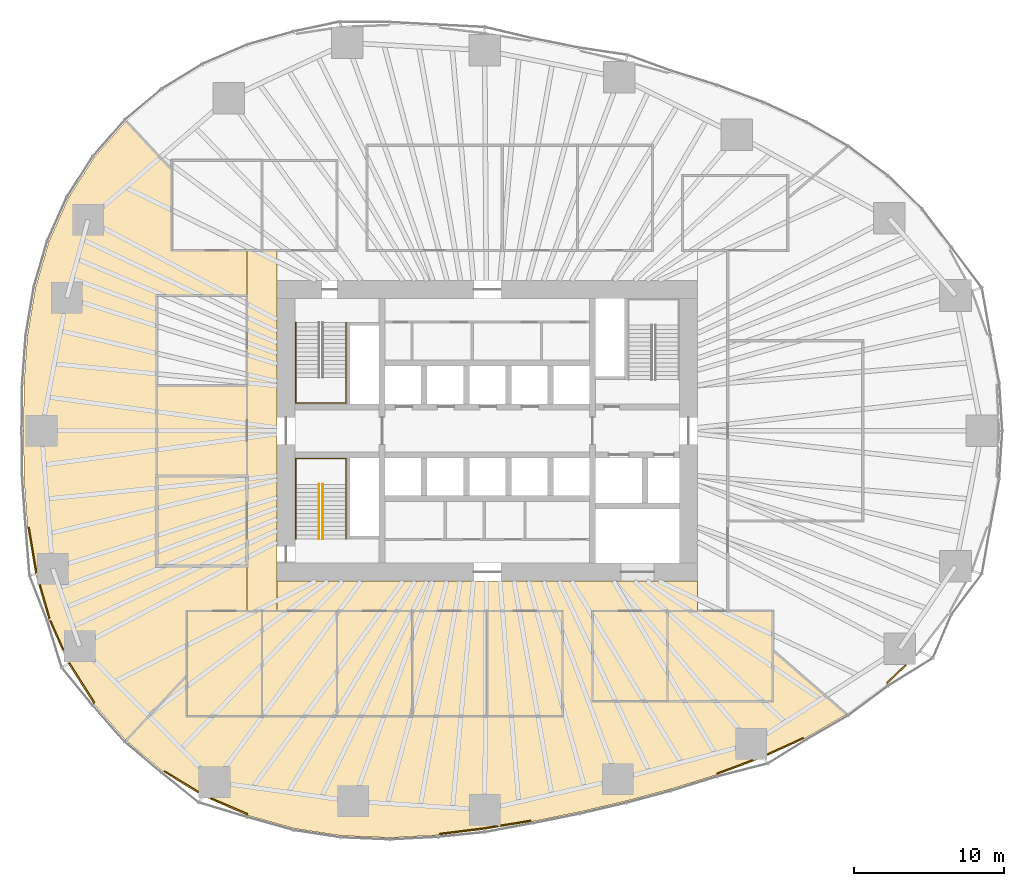
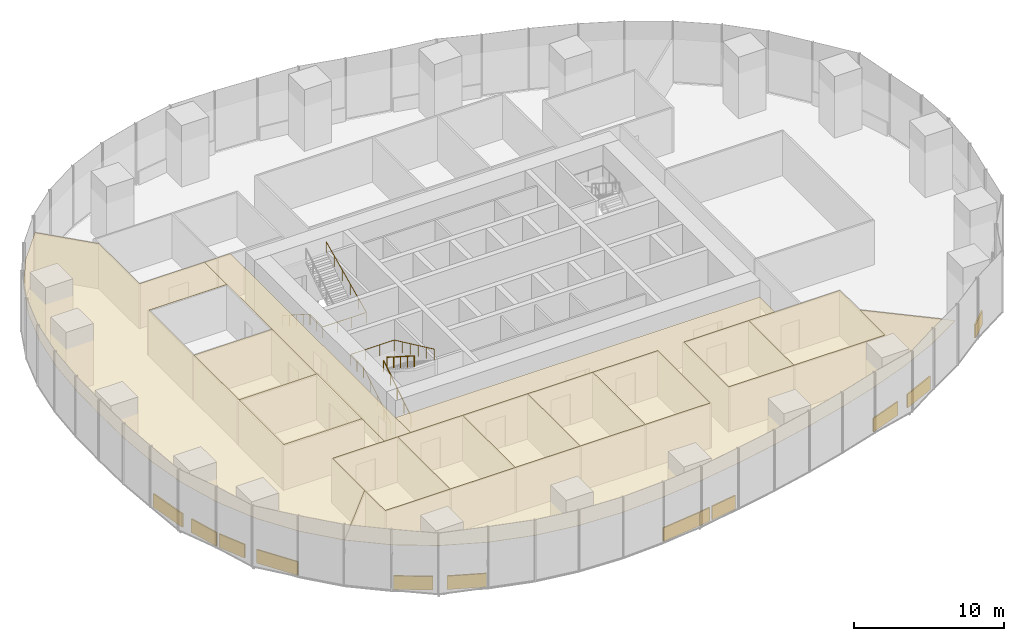
# One storey, part 17 of 20: 24 coverings, 4 railings.
"""IFC4 building model written with IfcOpenShell, lengths in metres."""

from ifc_helpers import new_model, si_unit, direction, frame, origin, origin_2d, place, context, subcontext, project, spatial, polyline, rectangle, circle, outline, extrude, material, layer, layer_set, type_object, element, save


model = new_model("IFC4")

# Units and contexts
model_context = context("Model", 3, precision=1e-05, world=origin(), true_north=direction((0.0, 1.0)))
body_context = subcontext(model_context, "Body", "Model", "MODEL_VIEW")
ifc_project = project(units=[si_unit("LENGTHUNIT", "METRE"), si_unit("AREAUNIT", "SQUARE_METRE"), si_unit("VOLUMEUNIT", "CUBIC_METRE"), si_unit("PLANEANGLEUNIT", "RADIAN"), si_unit("MASSUNIT", "GRAM", prefix="KILO")], contexts=[model_context])

# Site, building, storey
site_placement = place(None, origin())
site = spatial("IfcSite", under=ifc_project, at=site_placement, CompositionType="ELEMENT")
building_placement = place(site_placement, origin())
building = spatial("IfcBuilding", under=site, at=building_placement, Name="Ghaith Harvest Tower", CompositionType="ELEMENT")
storey_placement = place(building_placement, frame((0.0, 0.0, 50.0)))
storey = spatial("IfcBuildingStorey", under=building, at=storey_placement, Name="L10", CompositionType="ELEMENT", Elevation=50.0)

# Coverings
ifc_material_1 = material(Name="Mineral fibre ceiling tile", Category="gypsum")
ifc_layer_1 = layer(ifc_material_1, 0.02490234375)
ifc_layer_set_1 = layer_set([ifc_layer_1], Name="CEILING C2")
covering_type_1 = type_object("IfcCoveringType", Name="CEILING C2", PredefinedType="CEILING", material=ifc_layer_set_1)
covering_1_placement = place(storey_placement, frame((0.0, 0.0, 3.60009765625)))
element("IfcCovering", 1, at=covering_1_placement, inside=storey, type_object=covering_type_1, Name="Ceiling L10-01", PredefinedType="CEILING", context=body_context, shape_type="SweptSolid", body=[
    extrude(outline(polyline([(-20.0, -19.0), (-15.0, -19.0), (-15.0, -12.0), (-20.0, -12.0), (-20.0, -19.0)])), origin(), (0.0, 0.0, 1.0), 0.02490234375),
])
covering_2_placement = place(storey_placement, frame((0.0, 0.0, 3.60009765625)))
element("IfcCovering", 2, at=covering_2_placement, inside=storey, type_object=covering_type_1, Name="Ceiling L10-02", PredefinedType="CEILING", context=body_context, shape_type="SweptSolid", body=[
    extrude(outline(polyline([(-15.0, -19.0), (-10.0, -19.0), (-10.0, -12.0), (-15.0, -12.0), (-15.0, -19.0)])), origin(), (0.0, 0.0, 1.0), 0.02490234375),
])
covering_3_placement = place(storey_placement, frame((0.0, 0.0, 3.60009765625)))
element("IfcCovering", 3, at=covering_3_placement, inside=storey, type_object=covering_type_1, Name="Ceiling L10-03", PredefinedType="CEILING", context=body_context, shape_type="SweptSolid", body=[
    extrude(outline(polyline([(-10.0, -19.0), (-5.0, -19.0), (-5.0, -12.0), (-10.0, -12.0), (-10.0, -19.0)])), origin(), (0.0, 0.0, 1.0), 0.02490234375),
])
covering_4_placement = place(storey_placement, frame((0.0, 0.0, 3.60009765625)))
element("IfcCovering", 4, at=covering_4_placement, inside=storey, type_object=covering_type_1, Name="Ceiling L10-04", PredefinedType="CEILING", context=body_context, shape_type="SweptSolid", body=[
    extrude(outline(polyline([(-5.0, -19.0), (0.0, -19.0), (0.0, -12.0), (-5.0, -12.0), (-5.0, -19.0)])), origin(), (0.0, 0.0, 1.0), 0.02490234375),
])
covering_5_placement = place(storey_placement, frame((0.0, 0.0, 3.60009765625)))
element("IfcCovering", 5, at=covering_5_placement, inside=storey, type_object=covering_type_1, Name="Ceiling L10-05", PredefinedType="CEILING", context=body_context, shape_type="SweptSolid", body=[
    extrude(outline(polyline([(0.0, -19.0), (5.0, -19.0), (5.0, -12.0), (0.0, -12.0), (0.0, -19.0)])), origin(), (0.0, 0.0, 1.0), 0.02490234375),
])
covering_6_placement = place(storey_placement, frame((0.0, 0.0, 3.60009765625)))
element("IfcCovering", 6, at=covering_6_placement, inside=storey, type_object=covering_type_1, Name="Ceiling L10-06", PredefinedType="CEILING", context=body_context, shape_type="SweptSolid", body=[
    extrude(outline(polyline([(7.0, -18.0), (12.0, -18.0), (12.0, -12.0), (7.0, -12.0), (7.0, -18.0)])), origin(), (0.0, 0.0, 1.0), 0.02490234375),
])
covering_7_placement = place(storey_placement, frame((0.0, 0.0, 3.60009765625)))
element("IfcCovering", 7, at=covering_7_placement, inside=storey, type_object=covering_type_1, Name="Ceiling L10-07", PredefinedType="CEILING", context=body_context, shape_type="SweptSolid", body=[
    extrude(outline(polyline([(12.0, -18.0), (19.0, -18.0), (19.0, -12.0), (12.0, -12.0), (12.0, -18.0)])), origin(), (0.0, 0.0, 1.0), 0.02490234375),
])
covering_8_placement = place(storey_placement, frame((0.0, 0.0, 3.60009765625)))
element("IfcCovering", 8, at=covering_8_placement, inside=storey, type_object=covering_type_1, Name="Ceiling L10-14", PredefinedType="CEILING", context=body_context, shape_type="SweptSolid", body=[
    extrude(outline(polyline([(-22.0, -9.0), (-16.0, -9.0), (-16.0, -3.0), (-22.0, -3.0), (-22.0, -9.0)])), origin(), (0.0, 0.0, 1.0), 0.02490234375),
])
covering_9_placement = place(storey_placement, frame((0.0, 0.0, 3.60009765625)))
element("IfcCovering", 9, at=covering_9_placement, inside=storey, type_object=covering_type_1, Name="Ceiling L10-15", PredefinedType="CEILING", context=body_context, shape_type="SweptSolid", body=[
    extrude(outline(polyline([(-22.0, -3.0), (-16.0, -3.0), (-16.0, 3.0), (-22.0, 3.0), (-22.0, -3.0)])), origin(), (0.0, 0.0, 1.0), 0.02490234375),
])
covering_10_placement = place(storey_placement, frame((0.0, 0.0, 3.60009765625)))
element("IfcCovering", 10, at=covering_10_placement, inside=storey, type_object=covering_type_1, Name="Ceiling L10-C1", PredefinedType="CEILING", context=body_context, shape_type="SweptSolid", body=[
    extrude(outline(polyline([(-14.0, 12.0), (-14.0, -12.0), (-16.0, -12.0), (-16.0, 12.0), (-14.0, 12.0)])), origin(), (0.0, 0.0, 1.0), 0.02490234375),
])
covering_11_placement = place(storey_placement, frame((0.0, 0.0, 3.60009765625)))
element("IfcCovering", 11, at=covering_11_placement, inside=storey, type_object=covering_type_1, Name="Ceiling L10-S1", PredefinedType="CEILING", context=body_context, shape_type="SweptSolid", body=[
    extrude(outline(polyline([(-15.907958984375, -25.614501953125), (-18.8935546875, -24.32763671875), (-21.59912109375, -22.671142578125), (-24.04833984375, -20.618408203125), (-20.0, -16.283203125), (-20.0, -19.0), (5.0, -19.0), (5.0, -12.0), (-14.0, -12.0), (-14.0, -10.0), (14.0, -10.0), (14.0, -12.0), (7.0, -12.0), (7.0, -18.0), (19.0, -18.0), (19.0, -14.60205078125), (23.92431640625, -18.873046875), (21.149169921875, -20.469482421875), (18.34521484375, -21.7548828125), (15.22119140625, -22.916259765625), (12.1796875, -23.857666015625), (9.21533203125, -24.65087890625), (6.10888671875, -25.378662109375), (2.99560546875, -26.004150390625), (-0.181396484375, -26.527099609375), (-3.24755859375, -26.91064453125), (-6.4375, -27.0849609375), (-9.733642578125, -26.949951171875), (-12.828125, -26.476806640625), (-15.907958984375, -25.614501953125)])), origin(), (0.0, 0.0, 1.0), 0.02490234375),
])
covering_12_placement = place(storey_placement, frame((0.0, 0.0, 3.60009765625)))
element("IfcCovering", 12, at=covering_12_placement, inside=storey, type_object=covering_type_1, Name="Ceiling L10-W1", PredefinedType="CEILING", context=body_context, shape_type="SweptSolid", body=[
    extrude(outline(polyline([(-26.16455078125, -18.20556640625), (-27.881591796875, -15.507080078125), (-29.182373046875, -12.587890625), (-30.073974609375, -9.531005859375), (-30.606689453125, -6.35107421875), (-30.837158203125, -3.165771484375), (-30.875, 0.0), (-30.837158203125, 3.165771484375), (-30.606689453125, 6.35107421875), (-30.073974609375, 9.531005859375), (-29.182373046875, 12.587890625), (-27.881591796875, 15.507080078125), (-26.16455078125, 18.20556640625), (-24.04833984375, 20.618408203125), (-21.0, 17.354248046875), (-21.0, 12.0), (-16.0, 12.0), (-16.0, 9.0), (-22.0, 9.0), (-22.0, -9.0), (-16.0, -9.0), (-16.0, -12.0), (-20.0, -12.0), (-20.0, -16.283203125), (-24.04833984375, -20.618408203125), (-26.16455078125, -18.20556640625)])), origin(), (0.0, 0.0, 1.0), 0.02490234375),
])

# Railings
ifc_material_2 = material(Name="Steel, black powder-coated", Category="steel")
railing_type = type_object("IfcRailingType", Name="HANDRAIL HR1", PredefinedType="HANDRAIL", material=ifc_material_2)
railing_1_placement = place(storey_placement, frame((-12.75, 7.199951171875, 0.178466796875)))
element("IfcRailing", 13, at=railing_1_placement, inside=storey, type_object=railing_type, Name="Handrail HR1 stair ST1 L10 wall side", PredefinedType="HANDRAIL", context=body_context, shape_type="SweptSolid", body=[
    extrude(circle(Radius=0.02392578125, at=origin_2d()), frame((0.0, 0.0, 0.8759765625), z_axis=(0.0, -0.843111507901, 0.53773877045), x_axis=(1.0, 0.0, 0.0)), (0.0, 0.0, 1.0), 4.317138671875),
    extrude(circle(Radius=0.02392578125, at=origin_2d()), frame((0.0, -3.639892578125, 3.197265625), z_axis=(0.0, -1.0, 0.0), x_axis=(1.0, 0.0, 0.0)), (0.0, 0.0, 1.0), 1.7099609375),
    extrude(circle(Radius=0.02392578125, at=origin_2d()), frame((0.0, -5.349853515625, 3.197265625), z_axis=(1.0, 0.0, 0.0), x_axis=(0.0, 1.0, 0.0)), (0.0, 0.0, 1.0), 3.35009765625),
    extrude(circle(Radius=0.02392578125, at=origin_2d()), frame((3.35009765625, -5.349853515625, 3.197265625), z_axis=(0.0, 0.905962265858, 0.423358444868), x_axis=(-1.0, 0.0, 0.0)), (0.0, 0.0, 1.0), 5.9052734375),
    extrude(circle(Radius=0.02099609375, at=origin_2d()), origin(), (0.0, 0.0, 1.0), 0.851806640625),
    extrude(circle(Radius=0.02099609375, at=origin_2d()), frame((0.0, -0.909912109375, 0.580322265625)), (0.0, 0.0, 1.0), 0.851806640625),
    extrude(circle(Radius=0.02099609375, at=origin_2d()), frame((0.0, -1.81982421875, 1.16064453125)), (0.0, 0.0, 1.0), 0.851806640625),
    extrude(circle(Radius=0.02099609375, at=origin_2d()), frame((0.0, -2.72998046875, 1.7412109375)), (0.0, 0.0, 1.0), 0.851806640625),
    extrude(circle(Radius=0.02099609375, at=origin_2d()), frame((0.0, -3.639892578125, 2.321533203125)), (0.0, 0.0, 1.0), 0.851806640625),
    extrude(circle(Radius=0.02099609375, at=origin_2d()), frame((0.0, -4.494873046875, 2.321533203125)), (0.0, 0.0, 1.0), 0.851806640625),
    extrude(circle(Radius=0.02099609375, at=origin_2d()), frame((0.0, -5.349853515625, 2.321533203125)), (0.0, 0.0, 1.0), 0.851806640625),
    extrude(circle(Radius=0.02099609375, at=origin_2d()), frame((1.11669921875, -5.349853515625, 2.321533203125)), (0.0, 0.0, 1.0), 0.851806640625),
    extrude(circle(Radius=0.02099609375, at=origin_2d()), frame((2.2333984375, -5.349853515625, 2.321533203125)), (0.0, 0.0, 1.0), 0.851806640625),
    extrude(circle(Radius=0.02099609375, at=origin_2d()), frame((3.35009765625, -5.349853515625, 2.321533203125)), (0.0, 0.0, 1.0), 0.851806640625),
    extrude(circle(Radius=0.02099609375, at=origin_2d()), frame((3.35009765625, -4.27978515625, 2.821533203125)), (0.0, 0.0, 1.0), 0.851806640625),
    extrude(circle(Radius=0.02099609375, at=origin_2d()), frame((3.35009765625, -3.2099609375, 3.321533203125)), (0.0, 0.0, 1.0), 0.851806640625),
    extrude(circle(Radius=0.02099609375, at=origin_2d()), frame((3.35009765625, -2.139892578125, 3.821533203125)), (0.0, 0.0, 1.0), 0.851806640625),
    extrude(circle(Radius=0.02099609375, at=origin_2d()), frame((3.35009765625, -1.070068359375, 4.321533203125)), (0.0, 0.0, 1.0), 0.851806640625),
    extrude(circle(Radius=0.02099609375, at=origin_2d()), frame((3.35009765625, 0.0, 4.821533203125)), (0.0, 0.0, 1.0), 0.851806640625),
])
railing_2_placement = place(storey_placement, frame((-11.199951171875, -7.199951171875, 0.178466796875)))
element("IfcRailing", 14, at=railing_2_placement, inside=storey, type_object=railing_type, Name="Handrail HR1 stair ST3 L10 flight 1 inner", PredefinedType="HANDRAIL", context=body_context, shape_type="SweptSolid", body=[
    extrude(circle(Radius=0.02392578125, at=origin_2d()), frame((0.0, 0.0, 0.8759765625), z_axis=(0.0, 0.843111507901, 0.53773877045), x_axis=(-1.0, 0.0, 0.0)), (0.0, 0.0, 1.0), 4.317138671875),
    extrude(circle(Radius=0.02099609375, at=origin_2d()), origin(), (0.0, 0.0, 1.0), 0.851806640625),
    extrude(circle(Radius=0.02099609375, at=origin_2d()), frame((0.0, 0.909912109375, 0.580322265625)), (0.0, 0.0, 1.0), 0.851806640625),
    extrude(circle(Radius=0.02099609375, at=origin_2d()), frame((0.0, 1.81982421875, 1.16064453125)), (0.0, 0.0, 1.0), 0.851806640625),
    extrude(circle(Radius=0.02099609375, at=origin_2d()), frame((0.0, 2.72998046875, 1.7412109375)), (0.0, 0.0, 1.0), 0.851806640625),
    extrude(circle(Radius=0.02099609375, at=origin_2d()), frame((0.0, 3.639892578125, 2.321533203125)), (0.0, 0.0, 1.0), 0.851806640625),
])
railing_3_placement = place(storey_placement, frame((-10.949951171875, -3.56005859375, 2.678466796875)))
element("IfcRailing", 15, at=railing_3_placement, inside=storey, type_object=railing_type, Name="Handrail HR1 stair ST3 L10 flight 2 inner", PredefinedType="HANDRAIL", context=body_context, shape_type="SweptSolid", body=[
    extrude(circle(Radius=0.02392578125, at=origin_2d()), frame((0.0, 0.0, 0.8759765625), z_axis=(0.0, -0.843111507901, 0.53773877045), x_axis=(1.0, 0.0, 0.0)), (0.0, 0.0, 1.0), 4.317138671875),
    extrude(circle(Radius=0.02099609375, at=origin_2d()), origin(), (0.0, 0.0, 1.0), 0.851806640625),
    extrude(circle(Radius=0.02099609375, at=origin_2d()), frame((0.0, -0.909912109375, 0.580322265625)), (0.0, 0.0, 1.0), 0.851806640625),
    extrude(circle(Radius=0.02099609375, at=origin_2d()), frame((0.0, -1.81982421875, 1.16064453125)), (0.0, 0.0, 1.0), 0.851806640625),
    extrude(circle(Radius=0.02099609375, at=origin_2d()), frame((0.0, -2.72998046875, 1.7412109375)), (0.0, 0.0, 1.0), 0.851806640625),
    extrude(circle(Radius=0.02099609375, at=origin_2d()), frame((0.0, -3.639892578125, 2.321533203125)), (0.0, 0.0, 1.0), 0.851806640625),
])
railing_4_placement = place(storey_placement, frame((-12.75, -7.199951171875, 0.178466796875)))
element("IfcRailing", 16, at=railing_4_placement, inside=storey, type_object=railing_type, Name="Handrail HR1 stair ST3 L10 wall side", PredefinedType="HANDRAIL", context=body_context, shape_type="SweptSolid", body=[
    extrude(circle(Radius=0.02392578125, at=origin_2d()), frame((0.0, 0.0, 0.8759765625), z_axis=(0.0, 0.843111507901, 0.53773877045), x_axis=(-1.0, 0.0, 0.0)), (0.0, 0.0, 1.0), 4.317138671875),
    extrude(circle(Radius=0.02392578125, at=origin_2d()), frame((0.0, 3.639892578125, 3.197265625), z_axis=(0.0, 1.0, 0.0), x_axis=(-1.0, 0.0, 0.0)), (0.0, 0.0, 1.0), 1.7099609375),
    extrude(circle(Radius=0.02392578125, at=origin_2d()), frame((0.0, 5.349853515625, 3.197265625), z_axis=(1.0, 0.0, 0.0), x_axis=(0.0, 1.0, 0.0)), (0.0, 0.0, 1.0), 3.35009765625),
    extrude(circle(Radius=0.02392578125, at=origin_2d()), frame((3.35009765625, 5.349853515625, 3.197265625), z_axis=(0.0, -0.905962265858, 0.423358444868), x_axis=(1.0, 0.0, 0.0)), (0.0, 0.0, 1.0), 5.9052734375),
    extrude(circle(Radius=0.02099609375, at=origin_2d()), origin(), (0.0, 0.0, 1.0), 0.851806640625),
    extrude(circle(Radius=0.02099609375, at=origin_2d()), frame((0.0, 0.909912109375, 0.580322265625)), (0.0, 0.0, 1.0), 0.851806640625),
    extrude(circle(Radius=0.02099609375, at=origin_2d()), frame((0.0, 1.81982421875, 1.16064453125)), (0.0, 0.0, 1.0), 0.851806640625),
    extrude(circle(Radius=0.02099609375, at=origin_2d()), frame((0.0, 2.72998046875, 1.7412109375)), (0.0, 0.0, 1.0), 0.851806640625),
    extrude(circle(Radius=0.02099609375, at=origin_2d()), frame((0.0, 3.639892578125, 2.321533203125)), (0.0, 0.0, 1.0), 0.851806640625),
    extrude(circle(Radius=0.02099609375, at=origin_2d()), frame((0.0, 4.494873046875, 2.321533203125)), (0.0, 0.0, 1.0), 0.851806640625),
    extrude(circle(Radius=0.02099609375, at=origin_2d()), frame((0.0, 5.349853515625, 2.321533203125)), (0.0, 0.0, 1.0), 0.851806640625),
    extrude(circle(Radius=0.02099609375, at=origin_2d()), frame((1.11669921875, 5.349853515625, 2.321533203125)), (0.0, 0.0, 1.0), 0.851806640625),
    extrude(circle(Radius=0.02099609375, at=origin_2d()), frame((2.2333984375, 5.349853515625, 2.321533203125)), (0.0, 0.0, 1.0), 0.851806640625),
    extrude(circle(Radius=0.02099609375, at=origin_2d()), frame((3.35009765625, 5.349853515625, 2.321533203125)), (0.0, 0.0, 1.0), 0.851806640625),
    extrude(circle(Radius=0.02099609375, at=origin_2d()), frame((3.35009765625, 4.27978515625, 2.821533203125)), (0.0, 0.0, 1.0), 0.851806640625),
    extrude(circle(Radius=0.02099609375, at=origin_2d()), frame((3.35009765625, 3.2099609375, 3.321533203125)), (0.0, 0.0, 1.0), 0.851806640625),
    extrude(circle(Radius=0.02099609375, at=origin_2d()), frame((3.35009765625, 2.139892578125, 3.821533203125)), (0.0, 0.0, 1.0), 0.851806640625),
    extrude(circle(Radius=0.02099609375, at=origin_2d()), frame((3.35009765625, 1.070068359375, 4.321533203125)), (0.0, 0.0, 1.0), 0.851806640625),
    extrude(circle(Radius=0.02099609375, at=origin_2d()), frame((3.35009765625, 0.0, 4.821533203125)), (0.0, 0.0, 1.0), 0.851806640625),
])

# Coverings
ifc_material_3 = material(Name="Insulated aluminium spandrel panel on steel framing", Category="steel")
ifc_layer_2 = layer(ifc_material_3, 0.10009765625)
ifc_layer_set_2 = layer_set([ifc_layer_2], Name="SLAB EDGE UPSTAND 1100x100")
covering_type_2 = type_object("IfcCoveringType", Name="SLAB EDGE UPSTAND 1100x100", PredefinedType="CLADDING", material=ifc_layer_set_2)
covering_13_placement = place(storey_placement, frame((-30.2900390625, -7.9384765625, 0.0), z_axis=(0.0, 0.0, 1.0), x_axis=(0.165246181786, -0.986252350773, 0.0)))
element("IfcCovering", 17, at=covering_13_placement, inside=storey, type_object=covering_type_2, Name="Slab edge upstand 3 bay 11 L10", PredefinedType="CLADDING", context=body_context, shape_type="SweptSolid", body=[
    extrude(rectangle(XDim=3.03564453125, YDim=0.10009765625, at=origin_2d()), origin(), (0.0, 0.0, 1.0), 1.10009765625),
])
covering_14_placement = place(storey_placement, frame((-29.48828125, -11.35986328125, 0.0), z_axis=(0.0, 0.0, 1.0), x_axis=(0.280032411303, -0.95999054611, 0.0)))
element("IfcCovering", 18, at=covering_14_placement, inside=storey, type_object=covering_type_2, Name="Slab edge upstand 1 bay 12 L10", PredefinedType="CLADDING", context=body_context, shape_type="SweptSolid", body=[
    extrude(rectangle(XDim=2.3291015625, YDim=0.10009765625, at=origin_2d()), origin(), (0.0, 0.0, 1.0), 1.10009765625),
])
covering_15_placement = place(storey_placement, frame((-28.666748046875, -13.621826171875, 0.0), z_axis=(0.0, 0.0, 1.0), x_axis=(0.407003427802, -0.913426630747, 0.0)))
element("IfcCovering", 19, at=covering_15_placement, inside=storey, type_object=covering_type_2, Name="Slab edge upstand 2 bay 12 L10", PredefinedType="CLADDING", context=body_context, shape_type="SweptSolid", body=[
    extrude(rectangle(XDim=2.108642578125, YDim=0.10009765625, at=origin_2d()), origin(), (0.0, 0.0, 1.0), 1.10009765625),
])
covering_16_placement = place(storey_placement, frame((-27.0078125, -16.787353515625, 0.0), z_axis=(0.0, 0.0, 1.0), x_axis=(0.536807372204, -0.843704832952, 0.0)))
element("IfcCovering", 20, at=covering_16_placement, inside=storey, type_object=covering_type_2, Name="Slab edge upstand 3 bay 12 L10", PredefinedType="CLADDING", context=body_context, shape_type="SweptSolid", body=[
    extrude(rectangle(XDim=3.098388671875, YDim=0.10009765625, at=origin_2d()), origin(), (0.0, 0.0, 1.0), 1.10009765625),
])
covering_17_placement = place(storey_placement, frame((-20.36572265625, -23.367431640625, 0.0), z_axis=(0.0, 0.0, 1.0), x_axis=(0.852846651269, -0.522161459148, 0.0)))
element("IfcCovering", 21, at=covering_17_placement, inside=storey, type_object=covering_type_2, Name="Slab edge upstand 3 bay 13 L10", PredefinedType="CLADDING", context=body_context, shape_type="SweptSolid", body=[
    extrude(rectangle(XDim=2.630615234375, YDim=0.10009765625, at=origin_2d()), origin(), (0.0, 0.0, 1.0), 1.10009765625),
])
covering_18_placement = place(storey_placement, frame((-17.18994140625, -25.007568359375, 0.0), z_axis=(0.0, 0.0, 1.0), x_axis=(0.918306928324, -0.395869151856, 0.0)))
element("IfcCovering", 22, at=covering_18_placement, inside=storey, type_object=covering_type_2, Name="Slab edge upstand 1 bay 14 L10", PredefinedType="CLADDING", context=body_context, shape_type="SweptSolid", body=[
    extrude(rectangle(XDim=2.63525390625, YDim=0.10009765625, at=origin_2d()), origin(), (0.0, 0.0, 1.0), 1.10009765625),
])
covering_19_placement = place(storey_placement, frame((-1.671142578125, -26.6630859375, 0.0), z_axis=(0.0, 0.0, 1.0), x_axis=(0.992264868881, 0.124138752952, 0.0)))
element("IfcCovering", 23, at=covering_19_placement, inside=storey, type_object=covering_type_2, Name="Slab edge upstand 3 bay 15 L10", PredefinedType="CLADDING", context=body_context, shape_type="SweptSolid", body=[
    extrude(rectangle(XDim=2.98974609375, YDim=0.10009765625, at=origin_2d()), origin(), (0.0, 0.0, 1.0), 1.10009765625),
])
covering_20_placement = place(storey_placement, frame((0.2490234375, -26.405517578125, 0.0), z_axis=(0.0, 0.0, 1.0), x_axis=(0.98671624755, 0.162453214254, 0.0)))
element("IfcCovering", 24, at=covering_20_placement, inside=storey, type_object=covering_type_2, Name="Slab edge upstand 1 bay 16 L10", PredefinedType="CLADDING", context=body_context, shape_type="SweptSolid", body=[
    extrude(rectangle(XDim=0.88916015625, YDim=0.10009765625, at=origin_2d()), origin(), (0.0, 0.0, 1.0), 1.10009765625),
])
covering_21_placement = place(storey_placement, frame((1.891845703125, -26.135009765625, 0.0), z_axis=(0.0, 0.0, 1.0), x_axis=(0.98671624755, 0.162453214254, 0.0)))
element("IfcCovering", 25, at=covering_21_placement, inside=storey, type_object=covering_type_2, Name="Slab edge upstand 1 bay 16 L10", PredefinedType="CLADDING", context=body_context, shape_type="SweptSolid", body=[
    extrude(rectangle(XDim=2.0205078125, YDim=0.10009765625, at=origin_2d()), origin(), (0.0, 0.0, 1.0), 1.10009765625),
])
covering_22_placement = place(storey_placement, frame((16.495361328125, -22.38916015625, 0.0), z_axis=(0.0, 0.0, 1.0), x_axis=(0.937331853701, 0.348437937139, 0.0)))
element("IfcCovering", 26, at=covering_22_placement, inside=storey, type_object=covering_type_2, Name="Slab edge upstand 3 bay 17 L10", PredefinedType="CLADDING", context=body_context, shape_type="SweptSolid", body=[
    extrude(rectangle(XDim=2.555908203125, YDim=0.10009765625, at=origin_2d()), origin(), (0.0, 0.0, 1.0), 1.10009765625),
])
covering_23_placement = place(storey_placement, frame((19.84521484375, -21.01220703125, 0.0), z_axis=(0.0, 0.0, 1.0), x_axis=(0.909046054499, 0.416695657284, 0.0)))
element("IfcCovering", 27, at=covering_23_placement, inside=storey, type_object=covering_type_2, Name="Slab edge upstand 1 bay 18 L10", PredefinedType="CLADDING", context=body_context, shape_type="SweptSolid", body=[
    extrude(rectangle(XDim=2.623291015625, YDim=0.10009765625, at=origin_2d()), origin(), (0.0, 0.0, 1.0), 1.10009765625),
])
covering_24_placement = place(storey_placement, frame((27.227783203125, -16.205078125, 0.0), z_axis=(0.0, 0.0, 1.0), x_axis=(0.717386427289, 0.69667547247, 0.0)))
element("IfcCovering", 28, at=covering_24_placement, inside=storey, type_object=covering_type_2, Name="Slab edge upstand 1 bay 19 L10", PredefinedType="CLADDING", context=body_context, shape_type="SweptSolid", body=[
    extrude(rectangle(XDim=1.723388671875, YDim=0.10009765625, at=origin_2d()), origin(), (0.0, 0.0, 1.0), 1.10009765625),
])

save(model, "model.ifc")
